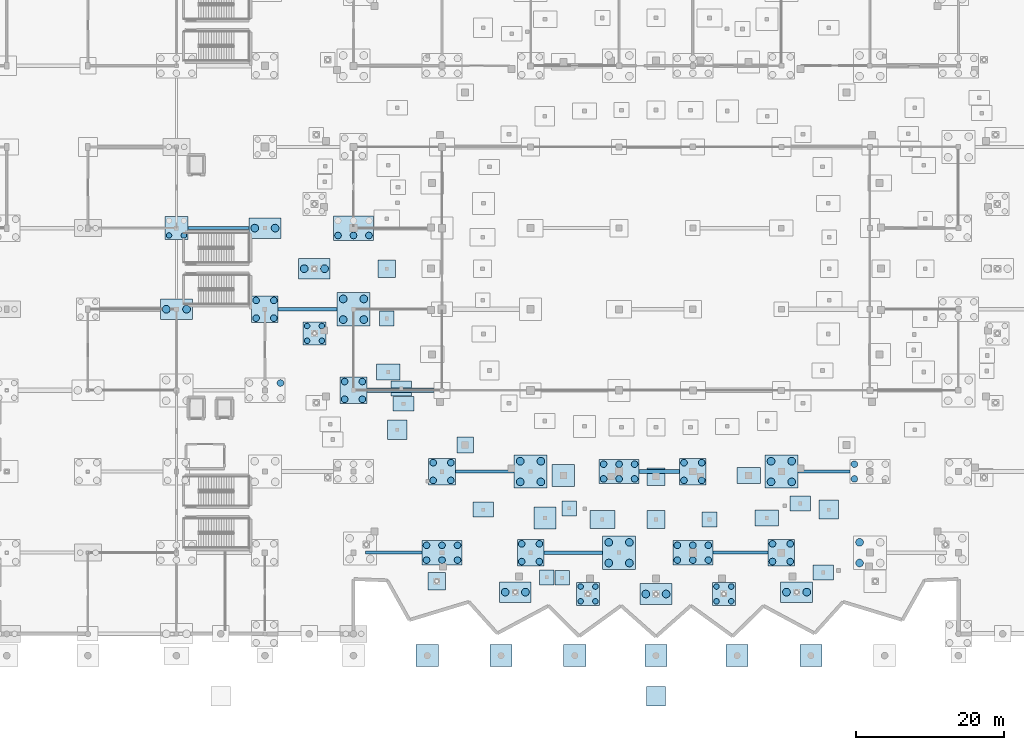
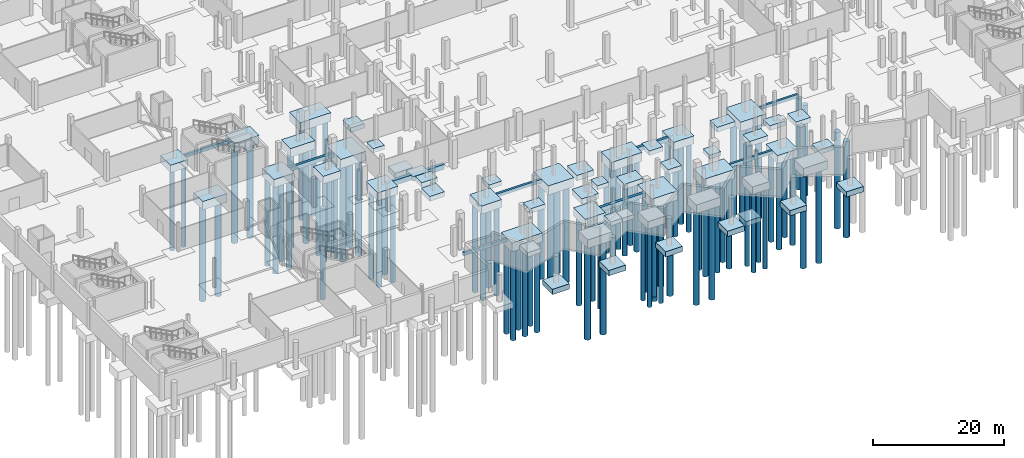
# One storey, part 2 of 60: 92 piles, 63 footings.
"""IFC4 building model written with IfcOpenShell, lengths in metres."""

from ifc_helpers import new_model, si_unit, direction, frame, origin, origin_2d, place, context, subcontext, project, spatial, rectangle, circle, extrude, material, material_profile, profile_set, type_object, element, save


model = new_model("IFC4")

# Units and contexts
model_context = context("Model", 3, precision=1e-05, world=origin(), true_north=direction((0.0, 1.0)))
body_context = subcontext(model_context, "Body", "Model", "MODEL_VIEW")
ifc_project = project(units=[si_unit("LENGTHUNIT", "METRE"), si_unit("AREAUNIT", "SQUARE_METRE"), si_unit("VOLUMEUNIT", "CUBIC_METRE"), si_unit("PLANEANGLEUNIT", "RADIAN"), si_unit("MASSUNIT", "GRAM", prefix="KILO")], contexts=[model_context])

# Site, building, storey
site_placement = place(None, origin())
site = spatial("IfcSite", under=ifc_project, at=site_placement, CompositionType="ELEMENT")
building_placement = place(site_placement, origin())
building = spatial("IfcBuilding", under=site, at=building_placement, Name="Luwafu Chhajja Arena", CompositionType="ELEMENT")
storey_placement = place(building_placement, frame((0.0, 0.0, -5.39990234375)))
storey = spatial("IfcBuildingStorey", under=building, at=storey_placement, Name="B1", CompositionType="ELEMENT", Elevation=-5.39990234375)

# Footings
ifc_material = material(Name="Concrete C35/45", Category="concrete")
footing_type_1 = type_object("IfcFootingType", Name="Arcade Corner Pad Footing PF-7", PredefinedType="PAD_FOOTING", material=ifc_material)
for number, where, z_axis, x_axis, name in (
    (1, (62.509765625, 42.73876953125, -0.75), (0.0, 0.0, 1.0), (1.0, 0.0, 0.0), "Pad footing PAD-179"),
    (2, (106.25830078125, 15.50927734375, -0.75), (0.0, 0.0, 1.0), (1.0, 0.0, 0.0), "Pad footing PAD-198"),
    (3, (87.25830078125, 17.005859375, -0.75), (0.0, 0.0, 1.0), (1.0, 0.0, 0.0), "Pad footing PAD-234"),
    (4, (84.210205078125, 7.652587890625, -0.75), (0.0, 0.0, 1.0), (1.0, 0.0, 0.0), "Pad footing PAD-235"),
    (5, (86.3095703125, 7.601806640625, -0.75), (0.0, 0.0, 1.0), (1.0, 0.0, 0.0), "Pad footing PAD-236"),
):
    element("IfcFooting", number, at=place(storey_placement, frame(where, z_axis=z_axis, x_axis=x_axis)), inside=storey, type_object=footing_type_1, Name=name, PredefinedType="PAD_FOOTING", context=body_context, shape_type="SweptSolid", body=[
        extrude(rectangle(XDim=2.0, YDim=2.0, at=origin_2d()), origin(), (0.0, 0.0, 1.0), 0.75),
    ])
ifc_material_profile_1 = material_profile(ifc_material, rectangle(XDim=0.39990234375, YDim=0.60009765625, at=origin_2d()), Name="RC 400x600")
ifc_profile_set_1 = profile_set([ifc_material_profile_1], Name="Concrete C35/45")
footing_type_2 = type_object("IfcFootingType", Name="Arcade Plinth Tie Beam GB-4", PredefinedType="FOOTING_BEAM", material=ifc_profile_set_1)
footing_1_placement = place(storey_placement, frame((59.60009765625, 11.0, -0.300048828125), z_axis=(1.0, 0.0, 0.0), x_axis=(0.0, 1.0, 0.0)))
element("IfcFooting", 6, at=footing_1_placement, inside=storey, type_object=footing_type_2, Name="Ground tie beam GB-X-009", PredefinedType="FOOTING_BEAM", context=body_context, shape_type="SweptSolid", body=[
    extrude(rectangle(XDim=0.39990234375, YDim=0.60009765625, at=origin_2d()), origin(), (0.0, 0.0, 1.0), 7.699951171875),
])
footing_2_placement = place(storey_placement, frame((106.699951171875, 11.0, -0.300048828125), z_axis=(1.0, 0.0, 0.0), x_axis=(0.0, 1.0, 0.0)))
element("IfcFooting", 7, at=footing_2_placement, inside=storey, type_object=footing_type_2, Name="Ground tie beam GB-X-011", PredefinedType="FOOTING_BEAM", context=body_context, shape_type="SweptSolid", body=[
    extrude(rectangle(XDim=0.39990234375, YDim=0.60009765625, at=origin_2d()), origin(), (0.0, 0.0, 1.0), 7.5),
])
footing_3_placement = place(storey_placement, frame((71.800048828125, 22.0, -0.300048828125), z_axis=(1.0, 0.0, 0.0), x_axis=(0.0, 1.0, 0.0)))
element("IfcFooting", 8, at=footing_3_placement, inside=storey, type_object=footing_type_2, Name="Ground tie beam GB-X-018", PredefinedType="FOOTING_BEAM", context=body_context, shape_type="SweptSolid", body=[
    extrude(rectangle(XDim=0.39990234375, YDim=0.60009765625, at=origin_2d()), origin(), (0.0, 0.0, 1.0), 7.949951171875),
])
footing_4_placement = place(storey_placement, frame((118.25, 22.0, -0.300048828125), z_axis=(1.0, 0.0, 0.0), x_axis=(0.0, 1.0, 0.0)))
element("IfcFooting", 9, at=footing_4_placement, inside=storey, type_object=footing_type_2, Name="Ground tie beam GB-X-020", PredefinedType="FOOTING_BEAM", context=body_context, shape_type="SweptSolid", body=[
    extrude(rectangle(XDim=0.39990234375, YDim=0.60009765625, at=origin_2d()), origin(), (0.0, 0.0, 1.0), 7.050048828125),
])
footing_5_placement = place(storey_placement, frame((35.550048828125, 55.0, -0.300048828125), z_axis=(1.0, 0.0, 0.0), x_axis=(0.0, 1.0, 0.0)))
element("IfcFooting", 10, at=footing_5_placement, inside=storey, type_object=footing_type_2, Name="Ground tie beam GB-X-042", PredefinedType="FOOTING_BEAM", context=body_context, shape_type="SweptSolid", body=[
    extrude(rectangle(XDim=0.39990234375, YDim=0.60009765625, at=origin_2d()), origin(), (0.0, 0.0, 1.0), 8.300048828125),
])

# Piles
ifc_material_profile_2 = material_profile(ifc_material, circle(Radius=0.52490234375, at=origin_2d()), Name="PILE D1050")
ifc_profile_set_2 = profile_set([ifc_material_profile_2], Name="Concrete C35/45")
pile_type_1 = type_object("IfcPileType", Name="Bored Socketed Pile D1050", PredefinedType="BORED", material=ifc_profile_set_2)
for number, where, z_axis, x_axis, name in (
    (11, (32.625, 44.0, -1.5), (0.0, 0.0, -1.0), (1.0, 0.0, 0.0), "Bored pile PIL-PC-2-033-1"),
    (12, (35.375, 44.0, -1.5), (0.0, 0.0, -1.0), (1.0, 0.0, 0.0), "Bored pile PIL-PC-2-033-2"),
    (13, (44.625, 55.0, -1.5), (0.0, 0.0, -1.0), (1.0, 0.0, 0.0), "Bored pile PIL-PC-2-044-1"),
    (14, (47.375, 55.0, -1.5), (0.0, 0.0, -1.0), (1.0, 0.0, 0.0), "Bored pile PIL-PC-2-044-2"),
    (15, (56.60009765625, 42.60009765625, -1.60009765625), (0.0, 0.0, -1.0), (1.0, 0.0, 0.0), "Bored pile PIL-PC-3-052-1"),
    (16, (59.39990234375, 42.60009765625, -1.60009765625), (0.0, 0.0, -1.0), (1.0, 0.0, 0.0), "Bored pile PIL-PC-3-052-2"),
    (17, (56.60009765625, 45.39990234375, -1.60009765625), (0.0, 0.0, -1.0), (1.0, 0.0, 0.0), "Bored pile PIL-PC-3-052-3"),
    (18, (59.39990234375, 45.39990234375, -1.60009765625), (0.0, 0.0, -1.0), (1.0, 0.0, 0.0), "Bored pile PIL-PC-3-052-4"),
    (19, (80.60009765625, 20.60009765625, -1.60009765625), (0.0, 0.0, -1.0), (1.0, 0.0, 0.0), "Bored pile PIL-PC-3-063-1"),
    (20, (83.39990234375, 20.60009765625, -1.60009765625), (0.0, 0.0, -1.0), (1.0, 0.0, 0.0), "Bored pile PIL-PC-3-063-2"),
    (21, (80.60009765625, 23.39990234375, -1.60009765625), (0.0, 0.0, -1.0), (1.0, 0.0, 0.0), "Bored pile PIL-PC-3-063-3"),
    (22, (83.39990234375, 23.39990234375, -1.60009765625), (0.0, 0.0, -1.0), (1.0, 0.0, 0.0), "Bored pile PIL-PC-3-063-4"),
    (23, (92.60009765625, 9.60009765625, -1.60009765625), (0.0, 0.0, -1.0), (1.0, 0.0, 0.0), "Bored pile PIL-PC-3-067-1"),
    (24, (95.39990234375, 9.60009765625, -1.60009765625), (0.0, 0.0, -1.0), (1.0, 0.0, 0.0), "Bored pile PIL-PC-3-067-2"),
    (25, (92.60009765625, 12.39990234375, -1.60009765625), (0.0, 0.0, -1.0), (1.0, 0.0, 0.0), "Bored pile PIL-PC-3-067-3"),
    (26, (95.39990234375, 12.39990234375, -1.60009765625), (0.0, 0.0, -1.0), (1.0, 0.0, 0.0), "Bored pile PIL-PC-3-067-4"),
    (27, (114.60009765625, 20.60009765625, -1.60009765625), (0.0, 0.0, -1.0), (1.0, 0.0, 0.0), "Bored pile PIL-PC-3-078-1"),
    (28, (117.39990234375, 20.60009765625, -1.60009765625), (0.0, 0.0, -1.0), (1.0, 0.0, 0.0), "Bored pile PIL-PC-3-078-2"),
    (29, (114.60009765625, 23.39990234375, -1.60009765625), (0.0, 0.0, -1.0), (1.0, 0.0, 0.0), "Bored pile PIL-PC-3-078-3"),
    (30, (117.39990234375, 23.39990234375, -1.60009765625), (0.0, 0.0, -1.0), (1.0, 0.0, 0.0), "Bored pile PIL-PC-3-078-4"),
    (31, (126.60009765625, 9.60009765625, -1.60009765625), (0.0, 0.0, -1.0), (1.0, 0.0, 0.0), "Bored pile PIL-PC-3-082-1"),
    (32, (126.60009765625, 12.39990234375, -1.60009765625), (0.0, 0.0, -1.0), (1.0, 0.0, 0.0), "Bored pile PIL-PC-3-082-3"),
    (33, (51.324951171875, 49.5, -1.5), (0.0, 0.0, -1.0), (1.0, 0.0, 0.0), "Bored pile PIL-PC-2-141-1"),
    (34, (54.074951171875, 49.5, -1.5), (0.0, 0.0, -1.0), (1.0, 0.0, 0.0), "Bored pile PIL-PC-2-141-2"),
    (35, (78.557861328125, 5.6552734375, -1.5), (0.0, 0.0, -1.0), (1.0, 0.0, 0.0), "Bored pile PIL-PC-2-143-1"),
    (36, (81.307861328125, 5.6552734375, -1.5), (0.0, 0.0, -1.0), (1.0, 0.0, 0.0), "Bored pile PIL-PC-2-143-2"),
    (37, (97.625, 5.39990234375, -1.5), (0.0, 0.0, -1.0), (1.0, 0.0, 0.0), "Bored pile PIL-PC-2-145-1"),
    (38, (100.375, 5.39990234375, -1.5), (0.0, 0.0, -1.0), (1.0, 0.0, 0.0), "Bored pile PIL-PC-2-145-2"),
    (39, (116.692138671875, 5.6552734375, -1.5), (0.0, 0.0, -1.0), (1.0, 0.0, 0.0), "Bored pile PIL-PC-2-147-1"),
    (40, (119.442138671875, 5.6552734375, -1.5), (0.0, 0.0, -1.0), (1.0, 0.0, 0.0), "Bored pile PIL-PC-2-147-2"),
):
    element("IfcPile", number, at=place(storey_placement, frame(where, z_axis=z_axis, x_axis=x_axis)), inside=storey, type_object=pile_type_1, Name=name, PredefinedType="BORED", context=body_context, shape_type="SweptSolid", body=[
        extrude(circle(Radius=0.52490234375, at=origin_2d()), origin(), (0.0, 0.0, 1.0), 18.0),
    ])
ifc_material_profile_3 = material_profile(ifc_material, circle(Radius=0.375, at=origin_2d()), Name="PILE D750")
ifc_profile_set_3 = profile_set([ifc_material_profile_3], Name="Concrete C35/45")
pile_type_2 = type_object("IfcPileType", Name="Bored Socketed Pile D750", PredefinedType="BORED", material=ifc_profile_set_3)
for number, where, z_axis, x_axis, name in (
    (41, (33.0, 54.0, -1.300048828125), (0.0, 0.0, -1.0), (1.0, 0.0, 0.0), "Bored pile PIL-PC-4-034-1"),
    (42, (35.0, 54.0, -1.300048828125), (0.0, 0.0, -1.0), (1.0, 0.0, 0.0), "Bored pile PIL-PC-4-034-2"),
    (43, (51.71240234375, 39.730224609375, -1.300048828125), (0.0, 0.0, -1.0), (1.0, 0.0, 0.0), "Bored pile PIL-PC-4-142-1"),
    (44, (53.71240234375, 39.730224609375, -1.300048828125), (0.0, 0.0, -1.0), (1.0, 0.0, 0.0), "Bored pile PIL-PC-4-142-2"),
    (45, (51.71240234375, 41.730224609375, -1.300048828125), (0.0, 0.0, -1.0), (1.0, 0.0, 0.0), "Bored pile PIL-PC-4-142-3"),
    (46, (53.71240234375, 41.730224609375, -1.300048828125), (0.0, 0.0, -1.0), (1.0, 0.0, 0.0), "Bored pile PIL-PC-4-142-4"),
    (47, (88.792724609375, 4.411865234375, -1.300048828125), (0.0, 0.0, -1.0), (1.0, 0.0, 0.0), "Bored pile PIL-PC-4-144-1"),
    (48, (90.792724609375, 4.411865234375, -1.300048828125), (0.0, 0.0, -1.0), (1.0, 0.0, 0.0), "Bored pile PIL-PC-4-144-2"),
    (49, (88.792724609375, 6.411865234375, -1.300048828125), (0.0, 0.0, -1.0), (1.0, 0.0, 0.0), "Bored pile PIL-PC-4-144-3"),
    (50, (90.792724609375, 6.411865234375, -1.300048828125), (0.0, 0.0, -1.0), (1.0, 0.0, 0.0), "Bored pile PIL-PC-4-144-4"),
    (51, (107.207275390625, 4.411865234375, -1.300048828125), (0.0, 0.0, -1.0), (1.0, 0.0, 0.0), "Bored pile PIL-PC-4-146-1"),
    (52, (109.207275390625, 4.411865234375, -1.300048828125), (0.0, 0.0, -1.0), (1.0, 0.0, 0.0), "Bored pile PIL-PC-4-146-2"),
    (53, (107.207275390625, 6.411865234375, -1.300048828125), (0.0, 0.0, -1.0), (1.0, 0.0, 0.0), "Bored pile PIL-PC-4-146-3"),
    (54, (109.207275390625, 6.411865234375, -1.300048828125), (0.0, 0.0, -1.0), (1.0, 0.0, 0.0), "Bored pile PIL-PC-4-146-4"),
):
    element("IfcPile", number, at=place(storey_placement, frame(where, z_axis=z_axis, x_axis=x_axis)), inside=storey, type_object=pile_type_2, Name=name, PredefinedType="BORED", context=body_context, shape_type="SweptSolid", body=[
        extrude(circle(Radius=0.375, at=origin_2d()), origin(), (0.0, 0.0, 1.0), 15.0),
    ])
ifc_material_profile_4 = material_profile(ifc_material, circle(Radius=0.449951171875, at=origin_2d()), Name="PILE D900")
ifc_profile_set_4 = profile_set([ifc_material_profile_4], Name="Concrete C35/45")
pile_type_3 = type_object("IfcPileType", Name="Bored Socketed Pile D900", PredefinedType="BORED", material=ifc_profile_set_4)
pile_placement = place(storey_placement, frame((48.10009765625, 34.0, -1.550048828125), z_axis=(0.0, 0.0, -1.0), x_axis=(1.0, 0.0, 0.0)))
element("IfcPile", 55, at=pile_placement, inside=storey, type_object=pile_type_3, Name="Bored pile PIL-PC-5-042-6", PredefinedType="BORED", context=body_context, shape_type="SweptSolid", body=[
    extrude(circle(Radius=0.449951171875, at=origin_2d()), origin(), (0.0, 0.0, 1.0), 17.0),
])
for number, where, z_axis, x_axis, name in (
    (56, (44.800048828125, 42.800048828125, -1.400146484375), (0.0, 0.0, -1.0), (1.0, 0.0, 0.0), "Bored pile PIL-PC-1-043-1"),
    (57, (47.199951171875, 42.800048828125, -1.400146484375), (0.0, 0.0, -1.0), (1.0, 0.0, 0.0), "Bored pile PIL-PC-1-043-2"),
    (58, (44.800048828125, 45.199951171875, -1.400146484375), (0.0, 0.0, -1.0), (1.0, 0.0, 0.0), "Bored pile PIL-PC-1-043-3"),
    (59, (47.199951171875, 45.199951171875, -1.400146484375), (0.0, 0.0, -1.0), (1.0, 0.0, 0.0), "Bored pile PIL-PC-1-043-4"),
    (60, (56.800048828125, 31.800048828125, -1.400146484375), (0.0, 0.0, -1.0), (1.0, 0.0, 0.0), "Bored pile PIL-PC-1-051-1"),
    (61, (59.199951171875, 31.800048828125, -1.400146484375), (0.0, 0.0, -1.0), (1.0, 0.0, 0.0), "Bored pile PIL-PC-1-051-2"),
    (62, (56.800048828125, 34.199951171875, -1.400146484375), (0.0, 0.0, -1.0), (1.0, 0.0, 0.0), "Bored pile PIL-PC-1-051-3"),
    (63, (59.199951171875, 34.199951171875, -1.400146484375), (0.0, 0.0, -1.0), (1.0, 0.0, 0.0), "Bored pile PIL-PC-1-051-4"),
):
    element("IfcPile", number, at=place(storey_placement, frame(where, z_axis=z_axis, x_axis=x_axis)), inside=storey, type_object=pile_type_3, Name=name, PredefinedType="BORED", context=body_context, shape_type="SweptSolid", body=[
        extrude(circle(Radius=0.449951171875, at=origin_2d()), origin(), (0.0, 0.0, 1.0), 16.5),
    ])
for number, where, z_axis, x_axis, name in (
    (64, (55.89990234375, 54.0, -1.550048828125), (0.0, 0.0, -1.0), (1.0, 0.0, 0.0), "Bored pile PIL-PC-5-053-1"),
    (65, (58.0, 54.0, -1.550048828125), (0.0, 0.0, -1.0), (1.0, 0.0, 0.0), "Bored pile PIL-PC-5-053-2"),
    (66, (60.10009765625, 54.0, -1.550048828125), (0.0, 0.0, -1.0), (1.0, 0.0, 0.0), "Bored pile PIL-PC-5-053-3"),
    (67, (67.89990234375, 10.0, -1.550048828125), (0.0, 0.0, -1.0), (1.0, 0.0, 0.0), "Bored pile PIL-PC-5-057-1"),
    (68, (70.0, 10.0, -1.550048828125), (0.0, 0.0, -1.0), (1.0, 0.0, 0.0), "Bored pile PIL-PC-5-057-2"),
    (69, (72.10009765625, 10.0, -1.550048828125), (0.0, 0.0, -1.0), (1.0, 0.0, 0.0), "Bored pile PIL-PC-5-057-3"),
    (70, (67.89990234375, 12.0, -1.550048828125), (0.0, 0.0, -1.0), (1.0, 0.0, 0.0), "Bored pile PIL-PC-5-057-4"),
    (71, (70.0, 12.0, -1.550048828125), (0.0, 0.0, -1.0), (1.0, 0.0, 0.0), "Bored pile PIL-PC-5-057-5"),
    (72, (72.10009765625, 12.0, -1.550048828125), (0.0, 0.0, -1.0), (1.0, 0.0, 0.0), "Bored pile PIL-PC-5-057-6"),
):
    element("IfcPile", number, at=place(storey_placement, frame(where, z_axis=z_axis, x_axis=x_axis)), inside=storey, type_object=pile_type_3, Name=name, PredefinedType="BORED", context=body_context, shape_type="SweptSolid", body=[
        extrude(circle(Radius=0.449951171875, at=origin_2d()), origin(), (0.0, 0.0, 1.0), 17.0),
    ])
for number, where, z_axis, x_axis, name in (
    (73, (68.800048828125, 20.800048828125, -1.400146484375), (0.0, 0.0, -1.0), (1.0, 0.0, 0.0), "Bored pile PIL-PC-1-058-1"),
    (74, (71.199951171875, 20.800048828125, -1.400146484375), (0.0, 0.0, -1.0), (1.0, 0.0, 0.0), "Bored pile PIL-PC-1-058-2"),
    (75, (68.800048828125, 23.199951171875, -1.400146484375), (0.0, 0.0, -1.0), (1.0, 0.0, 0.0), "Bored pile PIL-PC-1-058-3"),
    (76, (71.199951171875, 23.199951171875, -1.400146484375), (0.0, 0.0, -1.0), (1.0, 0.0, 0.0), "Bored pile PIL-PC-1-058-4"),
    (77, (80.800048828125, 9.800048828125, -1.400146484375), (0.0, 0.0, -1.0), (1.0, 0.0, 0.0), "Bored pile PIL-PC-1-062-1"),
    (78, (83.199951171875, 9.800048828125, -1.400146484375), (0.0, 0.0, -1.0), (1.0, 0.0, 0.0), "Bored pile PIL-PC-1-062-2"),
    (79, (80.800048828125, 12.199951171875, -1.400146484375), (0.0, 0.0, -1.0), (1.0, 0.0, 0.0), "Bored pile PIL-PC-1-062-3"),
    (80, (83.199951171875, 12.199951171875, -1.400146484375), (0.0, 0.0, -1.0), (1.0, 0.0, 0.0), "Bored pile PIL-PC-1-062-4"),
):
    element("IfcPile", number, at=place(storey_placement, frame(where, z_axis=z_axis, x_axis=x_axis)), inside=storey, type_object=pile_type_3, Name=name, PredefinedType="BORED", context=body_context, shape_type="SweptSolid", body=[
        extrude(circle(Radius=0.449951171875, at=origin_2d()), origin(), (0.0, 0.0, 1.0), 16.5),
    ])
for number, where, z_axis, x_axis, name in (
    (81, (91.89990234375, 21.0, -1.550048828125), (0.0, 0.0, -1.0), (1.0, 0.0, 0.0), "Bored pile PIL-PC-5-068-1"),
    (82, (94.0, 21.0, -1.550048828125), (0.0, 0.0, -1.0), (1.0, 0.0, 0.0), "Bored pile PIL-PC-5-068-2"),
    (83, (96.10009765625, 21.0, -1.550048828125), (0.0, 0.0, -1.0), (1.0, 0.0, 0.0), "Bored pile PIL-PC-5-068-3"),
    (84, (91.89990234375, 23.0, -1.550048828125), (0.0, 0.0, -1.0), (1.0, 0.0, 0.0), "Bored pile PIL-PC-5-068-4"),
    (85, (94.0, 23.0, -1.550048828125), (0.0, 0.0, -1.0), (1.0, 0.0, 0.0), "Bored pile PIL-PC-5-068-5"),
    (86, (96.10009765625, 23.0, -1.550048828125), (0.0, 0.0, -1.0), (1.0, 0.0, 0.0), "Bored pile PIL-PC-5-068-6"),
    (87, (101.89990234375, 10.0, -1.550048828125), (0.0, 0.0, -1.0), (1.0, 0.0, 0.0), "Bored pile PIL-PC-5-072-1"),
    (88, (104.0, 10.0, -1.550048828125), (0.0, 0.0, -1.0), (1.0, 0.0, 0.0), "Bored pile PIL-PC-5-072-2"),
    (89, (106.10009765625, 10.0, -1.550048828125), (0.0, 0.0, -1.0), (1.0, 0.0, 0.0), "Bored pile PIL-PC-5-072-3"),
    (90, (101.89990234375, 12.0, -1.550048828125), (0.0, 0.0, -1.0), (1.0, 0.0, 0.0), "Bored pile PIL-PC-5-072-4"),
    (91, (104.0, 12.0, -1.550048828125), (0.0, 0.0, -1.0), (1.0, 0.0, 0.0), "Bored pile PIL-PC-5-072-5"),
    (92, (106.10009765625, 12.0, -1.550048828125), (0.0, 0.0, -1.0), (1.0, 0.0, 0.0), "Bored pile PIL-PC-5-072-6"),
):
    element("IfcPile", number, at=place(storey_placement, frame(where, z_axis=z_axis, x_axis=x_axis)), inside=storey, type_object=pile_type_3, Name=name, PredefinedType="BORED", context=body_context, shape_type="SweptSolid", body=[
        extrude(circle(Radius=0.449951171875, at=origin_2d()), origin(), (0.0, 0.0, 1.0), 17.0),
    ])
for number, where, z_axis, x_axis, name in (
    (93, (102.800048828125, 20.800048828125, -1.400146484375), (0.0, 0.0, -1.0), (1.0, 0.0, 0.0), "Bored pile PIL-PC-1-073-1"),
    (94, (105.199951171875, 20.800048828125, -1.400146484375), (0.0, 0.0, -1.0), (1.0, 0.0, 0.0), "Bored pile PIL-PC-1-073-2"),
    (95, (102.800048828125, 23.199951171875, -1.400146484375), (0.0, 0.0, -1.0), (1.0, 0.0, 0.0), "Bored pile PIL-PC-1-073-3"),
    (96, (105.199951171875, 23.199951171875, -1.400146484375), (0.0, 0.0, -1.0), (1.0, 0.0, 0.0), "Bored pile PIL-PC-1-073-4"),
    (97, (114.800048828125, 9.800048828125, -1.400146484375), (0.0, 0.0, -1.0), (1.0, 0.0, 0.0), "Bored pile PIL-PC-1-077-1"),
    (98, (117.199951171875, 9.800048828125, -1.400146484375), (0.0, 0.0, -1.0), (1.0, 0.0, 0.0), "Bored pile PIL-PC-1-077-2"),
    (99, (114.800048828125, 12.199951171875, -1.400146484375), (0.0, 0.0, -1.0), (1.0, 0.0, 0.0), "Bored pile PIL-PC-1-077-3"),
    (100, (117.199951171875, 12.199951171875, -1.400146484375), (0.0, 0.0, -1.0), (1.0, 0.0, 0.0), "Bored pile PIL-PC-1-077-4"),
):
    element("IfcPile", number, at=place(storey_placement, frame(where, z_axis=z_axis, x_axis=x_axis)), inside=storey, type_object=pile_type_3, Name=name, PredefinedType="BORED", context=body_context, shape_type="SweptSolid", body=[
        extrude(circle(Radius=0.449951171875, at=origin_2d()), origin(), (0.0, 0.0, 1.0), 16.5),
    ])
for number, where, z_axis, x_axis, name in (
    (101, (125.89990234375, 21.0, -1.550048828125), (0.0, 0.0, -1.0), (1.0, 0.0, 0.0), "Bored pile PIL-PC-5-083-1"),
    (102, (125.89990234375, 23.0, -1.550048828125), (0.0, 0.0, -1.0), (1.0, 0.0, 0.0), "Bored pile PIL-PC-5-083-4"),
):
    element("IfcPile", number, at=place(storey_placement, frame(where, z_axis=z_axis, x_axis=x_axis)), inside=storey, type_object=pile_type_3, Name=name, PredefinedType="BORED", context=body_context, shape_type="SweptSolid", body=[
        extrude(circle(Radius=0.449951171875, at=origin_2d()), origin(), (0.0, 0.0, 1.0), 17.0),
    ])

# Footings
footing_type_3 = type_object("IfcFootingType", Name="Charbagh Arcade Pad Footing PF-2", PredefinedType="PAD_FOOTING", material=ifc_material)
footing_6_placement = place(storey_placement, frame((73.14013671875, 25.590087890625, -0.80029296875), z_axis=(0.0, 0.0, 1.0), x_axis=(1.0, 0.0, 0.0)))
element("IfcFooting", 103, at=footing_6_placement, inside=storey, type_object=footing_type_3, Name="Pad footing PAD-186", PredefinedType="PAD_FOOTING", context=body_context, shape_type="SweptSolid", body=[
    extrude(rectangle(XDim=2.199951171875, YDim=2.199951171875, at=origin_2d()), origin(), (0.0, 0.0, 1.0), 0.800048828125),
])
footing_type_4 = type_object("IfcFootingType", Name="Colonnade Pad Footing PF-1", PredefinedType="PAD_FOOTING", material=ifc_material)
for number, where, z_axis, x_axis, name in (
    (104, (63.93798828125, 27.677001953125, -0.900146484375), (0.0, 0.0, 1.0), (1.0, 0.0, 0.0), "Pad footing PAD-184"),
    (105, (122.427734375, 16.83935546875, -0.900146484375), (0.0, 0.0, 1.0), (1.0, 0.0, 0.0), "Pad footing PAD-203"),
    (106, (99.0, -8.449951171875, 4.050048828125), (0.0, 0.0, 1.0), (1.0, 0.0, 0.0), "Accessible Ramp RA-02 Toe Footing"),
):
    element("IfcFooting", number, at=place(storey_placement, frame(where, z_axis=z_axis, x_axis=x_axis)), inside=storey, type_object=footing_type_4, Name=name, PredefinedType="PAD_FOOTING", context=body_context, shape_type="SweptSolid", body=[
        extrude(rectangle(XDim=2.60009765625, YDim=2.60009765625, at=origin_2d()), origin(), (0.0, 0.0, 1.0), 0.89990234375),
    ])
footing_type_5 = type_object("IfcFootingType", Name="Forecourt Canopy Pad Footing PF-3", PredefinedType="PAD_FOOTING", material=ifc_material)
for number, where, z_axis, x_axis, name in (
    (107, (75.572265625, 16.83935546875, -0.85009765625), (0.0, 0.0, 1.0), (1.0, 0.0, 0.0), "Pad footing PAD-188"),
    (108, (64.457763671875, 33.275390625, -0.85009765625), (0.0, 0.0, 1.0), (1.0, 0.0, 0.0), "Pad footing PAD-230"),
    (109, (64.783203125, 31.200927734375, -0.85009765625), (0.0, 0.0, 1.0), (1.0, 0.0, 0.0), "Pad footing PAD-231"),
    (110, (118.543701171875, 17.664794921875, -0.85009765625), (0.0, 0.0, 1.0), (1.0, 0.0, 0.0), "Pad footing PAD-237"),
    (111, (121.667236328125, 8.306884765625, -0.85009765625), (0.0, 0.0, 1.0), (1.0, 0.0, 0.0), "Pad footing PAD-238"),
):
    element("IfcFooting", number, at=place(storey_placement, frame(where, z_axis=z_axis, x_axis=x_axis)), inside=storey, type_object=footing_type_5, Name=name, PredefinedType="PAD_FOOTING", context=body_context, shape_type="SweptSolid", body=[
        extrude(rectangle(XDim=2.800048828125, YDim=2.0, at=origin_2d()), origin(), (0.0, 0.0, 1.0), 0.85009765625),
    ])
footing_type_6 = type_object("IfcFootingType", Name="Light Court Pad Footing PF-8", PredefinedType="PAD_FOOTING", material=ifc_material)
for number, where, z_axis, x_axis, name in (
    (112, (62.711181640625, 35.498291015625, -0.900146484375), (0.0, 0.0, 1.0), (1.0, 0.0, 0.0), "Pad footing PAD-181"),
    (113, (114.03125, 15.69677734375, -0.900146484375), (0.0, 0.0, 1.0), (1.0, 0.0, 0.0), "Pad footing PAD-200"),
    (114, (111.560302734375, 21.463134765625, -0.900146484375), (0.0, 0.0, 1.0), (1.0, 0.0, 0.0), "Pad footing PAD-201"),
):
    element("IfcFooting", number, at=place(storey_placement, frame(where, z_axis=z_axis, x_axis=x_axis)), inside=storey, type_object=footing_type_6, Name=name, PredefinedType="PAD_FOOTING", context=body_context, shape_type="SweptSolid", body=[
        extrude(rectangle(XDim=3.199951171875, YDim=2.199951171875, at=origin_2d()), origin(), (0.0, 0.0, 1.0), 0.89990234375),
    ])
footing_type_7 = type_object("IfcFootingType", Name="Pavilion Corner Pad Footing PF-4", PredefinedType="PAD_FOOTING", material=ifc_material)
for number, where, z_axis, x_axis, name in (
    (115, (68.0, -2.949951171875, -1.0), (0.0, 0.0, 1.0), (1.0, 0.0, 0.0), "Pad footing PAD-124"),
    (116, (78.0, -2.949951171875, -1.0), (0.0, 0.0, 1.0), (1.0, 0.0, 0.0), "Pad footing PAD-125"),
    (117, (88.0, -2.949951171875, -1.0), (0.0, 0.0, 1.0), (1.0, 0.0, 0.0), "Pad footing PAD-126"),
    (118, (99.0, -2.949951171875, -1.0), (0.0, 0.0, 1.0), (1.0, 0.0, 0.0), "Pad footing PAD-127"),
    (119, (110.0, -2.949951171875, -1.0), (0.0, 0.0, 1.0), (1.0, 0.0, 0.0), "Pad footing PAD-128"),
    (120, (120.0, -2.949951171875, -1.0), (0.0, 0.0, 1.0), (1.0, 0.0, 0.0), "Pad footing PAD-129"),
    (121, (83.96875, 15.69677734375, -1.0), (0.0, 0.0, 1.0), (1.0, 0.0, 0.0), "Pad footing PAD-190"),
    (122, (86.439697265625, 21.463134765625, -1.0), (0.0, 0.0, 1.0), (1.0, 0.0, 0.0), "Pad footing PAD-191"),
):
    element("IfcFooting", number, at=place(storey_placement, frame(where, z_axis=z_axis, x_axis=x_axis)), inside=storey, type_object=footing_type_7, Name=name, PredefinedType="PAD_FOOTING", context=body_context, shape_type="SweptSolid", body=[
        extrude(rectangle(XDim=3.0, YDim=3.0, at=origin_2d()), origin(), (0.0, 0.0, 1.0), 1.0),
    ])
ifc_material_profile_5 = material_profile(ifc_material, rectangle(XDim=0.449951171875, YDim=0.75, at=origin_2d()), Name="RC 450x750")
ifc_profile_set_5 = profile_set([ifc_material_profile_5], Name="Concrete C35/45")
footing_type_8 = type_object("IfcFootingType", Name="Perimeter Plinth Ground Beam GB-3", PredefinedType="FOOTING_BEAM", material=ifc_profile_set_5)
footing_7_placement = place(storey_placement, frame((47.800048828125, 44.0, -0.375), z_axis=(1.0, 0.0, 0.0), x_axis=(0.0, 1.0, 0.0)))
element("IfcFooting", 123, at=footing_7_placement, inside=storey, type_object=footing_type_8, Name="Ground tie beam GB-X-034", PredefinedType="FOOTING_BEAM", context=body_context, shape_type="SweptSolid", body=[
    extrude(rectangle(XDim=0.449951171875, YDim=0.75, at=origin_2d()), origin(), (0.0, 0.0, 1.0), 7.949951171875),
])
ifc_material_profile_6 = material_profile(ifc_material, rectangle(XDim=0.60009765625, YDim=0.89990234375, at=origin_2d()), Name="RC 600x900")
ifc_profile_set_6 = profile_set([ifc_material_profile_6], Name="Concrete C35/45")
footing_type_9 = type_object("IfcFootingType", Name="Primary Ground Tie Beam GB-1", PredefinedType="FOOTING_BEAM", material=ifc_profile_set_6)
footing_8_placement = place(storey_placement, frame((59.800048828125, 33.0, -0.4501953125), z_axis=(1.0, 0.0, 0.0), x_axis=(0.0, 1.0, 0.0)))
element("IfcFooting", 124, at=footing_8_placement, inside=storey, type_object=footing_type_9, Name="Ground tie beam GB-X-026", PredefinedType="FOOTING_BEAM", context=body_context, shape_type="SweptSolid", body=[
    extrude(rectangle(XDim=0.60009765625, YDim=0.89990234375, at=origin_2d()), origin(), (0.0, 0.0, 1.0), 9.099853515625),
])
footing_type_10 = type_object("IfcFootingType", Name="Raker Plinth Pad Footing PF-6", PredefinedType="PAD_FOOTING", material=ifc_material)
for number, where, z_axis, x_axis, name in (
    (125, (69.281982421875, 7.13720703125, -0.85009765625), (0.0, 0.0, 1.0), (1.0, 0.0, 0.0), "Pad footing PAD-094"),
    (126, (62.5, 49.5, -0.85009765625), (0.0, 0.0, 1.0), (1.0, 0.0, 0.0), "Pad footing PAD-176"),
    (127, (99.0, 15.5, -0.85009765625), (0.0, 0.0, 1.0), (1.0, 0.0, 0.0), "Pad footing PAD-195"),
    (128, (99.0, 21.300048828125, -0.85009765625), (0.0, 0.0, 1.0), (1.0, 0.0, 0.0), "Pad footing PAD-196"),
):
    element("IfcFooting", number, at=place(storey_placement, frame(where, z_axis=z_axis, x_axis=x_axis)), inside=storey, type_object=footing_type_10, Name=name, PredefinedType="PAD_FOOTING", context=body_context, shape_type="SweptSolid", body=[
        extrude(rectangle(XDim=2.39990234375, YDim=2.39990234375, at=origin_2d()), origin(), (0.0, 0.0, 1.0), 0.85009765625),
    ])
footing_type_11 = type_object("IfcFootingType", Name="Ramp Toe Pad Footing PF-5", PredefinedType="PAD_FOOTING", material=ifc_material)
footing_9_placement = place(storey_placement, frame((91.74169921875, 15.50927734375, -0.9501953125), z_axis=(0.0, 0.0, 1.0), x_axis=(1.0, 0.0, 0.0)))
element("IfcFooting", 129, at=footing_9_placement, inside=storey, type_object=footing_type_11, Name="Pad footing PAD-193", PredefinedType="PAD_FOOTING", context=body_context, shape_type="SweptSolid", body=[
    extrude(rectangle(XDim=3.39990234375, YDim=2.39990234375, at=origin_2d()), origin(), (0.0, 0.0, 1.0), 0.949951171875),
])
footing_type_12 = type_object("IfcFootingType", Name="Reinforced Concrete Pile Cap PC-1", PredefinedType="PILE_CAP", material=ifc_material)
for number, where, z_axis, x_axis, name in (
    (130, (46.0, 44.0, -1.5), (0.0, 0.0, 1.0), (1.0, 0.0, 0.0), "Pile cap PC-1 043"),
    (131, (58.0, 33.0, -1.5), (0.0, 0.0, 1.0), (1.0, 0.0, 0.0), "Pile cap PC-1 051"),
    (132, (70.0, 22.0, -1.5), (0.0, 0.0, 1.0), (1.0, 0.0, 0.0), "Pile cap PC-1 058"),
    (133, (82.0, 11.0, -1.5), (0.0, 0.0, 1.0), (1.0, 0.0, 0.0), "Pile cap PC-1 062"),
    (134, (104.0, 22.0, -1.5), (0.0, 0.0, 1.0), (1.0, 0.0, 0.0), "Pile cap PC-1 073"),
    (135, (116.0, 11.0, -1.5), (0.0, 0.0, 1.0), (1.0, 0.0, 0.0), "Pile cap PC-1 077"),
):
    element("IfcFooting", number, at=place(storey_placement, frame(where, z_axis=z_axis, x_axis=x_axis)), inside=storey, type_object=footing_type_12, Name=name, PredefinedType="PILE_CAP", context=body_context, shape_type="SweptSolid", body=[
        extrude(rectangle(XDim=3.60009765625, YDim=3.60009765625, at=origin_2d()), origin(), (0.0, 0.0, 1.0), 1.5),
    ])
footing_type_13 = type_object("IfcFootingType", Name="Reinforced Concrete Pile Cap PC-2", PredefinedType="PILE_CAP", material=ifc_material)
for number, where, z_axis, x_axis, name in (
    (136, (34.0, 44.0, -1.60009765625), (0.0, 0.0, 1.0), (1.0, 0.0, 0.0), "Pile cap PC-2 033"),
    (137, (46.0, 55.0, -1.60009765625), (0.0, 0.0, 1.0), (1.0, 0.0, 0.0), "Pile cap PC-2 044"),
    (138, (52.699951171875, 49.5, -1.60009765625), (0.0, 0.0, 1.0), (1.0, 0.0, 0.0), "Pile cap PC-2 141"),
    (139, (79.932861328125, 5.6552734375, -1.60009765625), (0.0, 0.0, 1.0), (1.0, 0.0, 0.0), "Pile cap PC-2 143"),
    (140, (99.0, 5.39990234375, -1.60009765625), (0.0, 0.0, 1.0), (1.0, 0.0, 0.0), "Pile cap PC-2 145"),
    (141, (118.067138671875, 5.6552734375, -1.60009765625), (0.0, 0.0, 1.0), (1.0, 0.0, 0.0), "Pile cap PC-2 147"),
):
    element("IfcFooting", number, at=place(storey_placement, frame(where, z_axis=z_axis, x_axis=x_axis)), inside=storey, type_object=footing_type_13, Name=name, PredefinedType="PILE_CAP", context=body_context, shape_type="SweptSolid", body=[
        extrude(rectangle(XDim=4.300048828125, YDim=2.800048828125, at=origin_2d()), origin(), (0.0, 0.0, 1.0), 1.60009765625),
    ])
footing_type_14 = type_object("IfcFootingType", Name="Reinforced Concrete Pile Cap PC-3", PredefinedType="PILE_CAP", material=ifc_material)
for number, where, z_axis, x_axis, name in (
    (142, (58.0, 44.0, -1.7001953125), (0.0, 0.0, 1.0), (1.0, 0.0, 0.0), "Pile cap PC-3 052"),
    (143, (82.0, 22.0, -1.7001953125), (0.0, 0.0, 1.0), (1.0, 0.0, 0.0), "Pile cap PC-3 063"),
    (144, (94.0, 11.0, -1.7001953125), (0.0, 0.0, 1.0), (1.0, 0.0, 0.0), "Pile cap PC-3 067"),
    (145, (116.0, 22.0, -1.7001953125), (0.0, 0.0, 1.0), (1.0, 0.0, 0.0), "Pile cap PC-3 078"),
):
    element("IfcFooting", number, at=place(storey_placement, frame(where, z_axis=z_axis, x_axis=x_axis)), inside=storey, type_object=footing_type_14, Name=name, PredefinedType="PILE_CAP", context=body_context, shape_type="SweptSolid", body=[
        extrude(rectangle(XDim=4.5, YDim=4.5, at=origin_2d()), origin(), (0.0, 0.0, 1.0), 1.699951171875),
    ])
footing_type_15 = type_object("IfcFootingType", Name="Reinforced Concrete Pile Cap PC-4", PredefinedType="PILE_CAP", material=ifc_material)
for number, where, z_axis, x_axis, name in (
    (146, (34.0, 55.0, -1.400146484375), (0.0, 0.0, 1.0), (1.0, 0.0, 0.0), "Pile cap PC-4 034"),
    (147, (52.71240234375, 40.730224609375, -1.400146484375), (0.0, 0.0, 1.0), (1.0, 0.0, 0.0), "Pile cap PC-4 142"),
    (148, (89.792724609375, 5.411865234375, -1.400146484375), (0.0, 0.0, 1.0), (1.0, 0.0, 0.0), "Pile cap PC-4 144"),
    (149, (108.207275390625, 5.411865234375, -1.400146484375), (0.0, 0.0, 1.0), (1.0, 0.0, 0.0), "Pile cap PC-4 146"),
):
    element("IfcFooting", number, at=place(storey_placement, frame(where, z_axis=z_axis, x_axis=x_axis)), inside=storey, type_object=footing_type_15, Name=name, PredefinedType="PILE_CAP", context=body_context, shape_type="SweptSolid", body=[
        extrude(rectangle(XDim=3.10009765625, YDim=3.10009765625, at=origin_2d()), origin(), (0.0, 0.0, 1.0), 1.39990234375),
    ])
footing_type_16 = type_object("IfcFootingType", Name="Reinforced Concrete Pile Cap PC-5", PredefinedType="PILE_CAP", material=ifc_material)
for number, where, z_axis, x_axis, name in (
    (150, (58.0, 55.0, -1.650146484375), (0.0, 0.0, 1.0), (1.0, 0.0, 0.0), "Pile cap PC-5 053"),
    (151, (70.0, 11.0, -1.650146484375), (0.0, 0.0, 1.0), (1.0, 0.0, 0.0), "Pile cap PC-5 057"),
    (152, (94.0, 22.0, -1.650146484375), (0.0, 0.0, 1.0), (1.0, 0.0, 0.0), "Pile cap PC-5 068"),
    (153, (104.0, 11.0, -1.650146484375), (0.0, 0.0, 1.0), (1.0, 0.0, 0.0), "Pile cap PC-5 072"),
):
    element("IfcFooting", number, at=place(storey_placement, frame(where, z_axis=z_axis, x_axis=x_axis)), inside=storey, type_object=footing_type_16, Name=name, PredefinedType="PILE_CAP", context=body_context, shape_type="SweptSolid", body=[
        extrude(rectangle(XDim=5.39990234375, YDim=3.300048828125, at=origin_2d()), origin(), (0.0, 0.0, 1.0), 1.64990234375),
    ])
ifc_material_profile_7 = material_profile(ifc_material, rectangle(XDim=0.5, YDim=0.800048828125, at=origin_2d()), Name="RC 500x800")
ifc_profile_set_7 = profile_set([ifc_material_profile_7], Name="Concrete C35/45")
footing_type_17 = type_object("IfcFootingType", Name="Secondary Ground Tie Beam GB-2", PredefinedType="FOOTING_BEAM", material=ifc_profile_set_7)
footing_10_placement = place(storey_placement, frame((83.800048828125, 11.0, -0.400146484375), z_axis=(1.0, 0.0, 0.0), x_axis=(0.0, 1.0, 0.0)))
element("IfcFooting", 154, at=footing_10_placement, inside=storey, type_object=footing_type_17, Name="Ground tie beam GB-X-010", PredefinedType="FOOTING_BEAM", context=body_context, shape_type="SweptSolid", body=[
    extrude(rectangle(XDim=0.5, YDim=0.800048828125, at=origin_2d()), origin(), (0.0, 0.0, 1.0), 7.949951171875),
])
footing_11_placement = place(storey_placement, frame((96.699951171875, 22.0, -0.400146484375), z_axis=(1.0, 0.0, 0.0), x_axis=(0.0, 1.0, 0.0)))
element("IfcFooting", 155, at=footing_11_placement, inside=storey, type_object=footing_type_17, Name="Ground tie beam GB-X-019", PredefinedType="FOOTING_BEAM", context=body_context, shape_type="SweptSolid", body=[
    extrude(rectangle(XDim=0.5, YDim=0.800048828125, at=origin_2d()), origin(), (0.0, 0.0, 1.0), 5.5),
])

save(model, "model.ifc")
